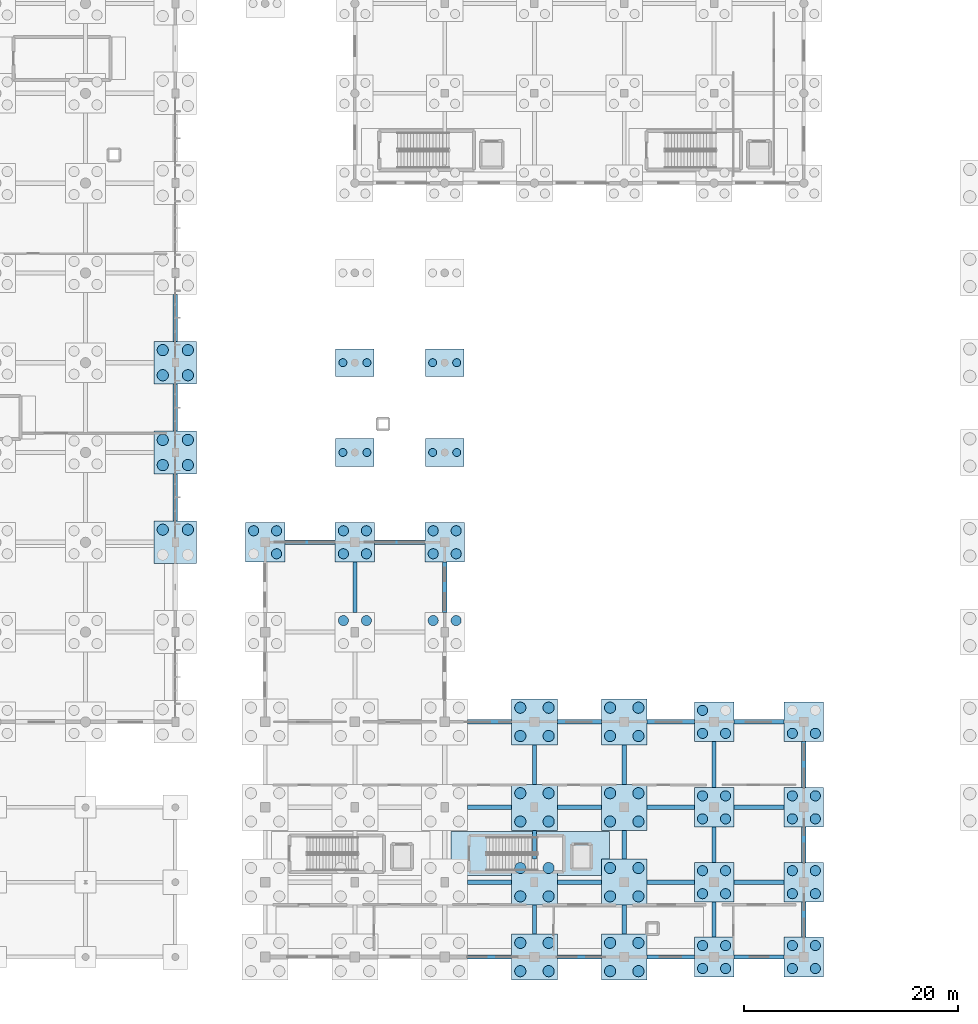
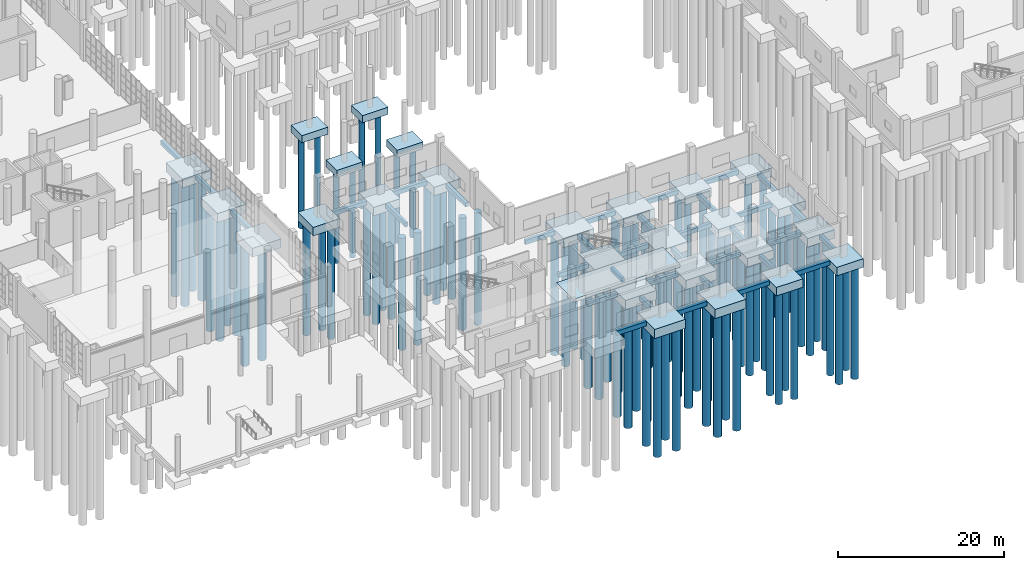
# One storey, part 3 of 83: 94 piles, 62 footings.
"""IFC4 building model written with IfcOpenShell, lengths in metres."""

from ifc_helpers import new_model, si_unit, direction, frame, origin, origin_2d, place, context, subcontext, project, spatial, rectangle, circle, extrude, material, material_profile, profile_set, type_object, element, save


model = new_model("IFC4")

# Units and contexts
model_context = context("Model", 3, precision=1e-05, world=origin(), true_north=direction((0.0, 1.0)))
body_context = subcontext(model_context, "Body", "Model", "MODEL_VIEW")
ifc_project = project(units=[si_unit("LENGTHUNIT", "METRE"), si_unit("AREAUNIT", "SQUARE_METRE"), si_unit("VOLUMEUNIT", "CUBIC_METRE"), si_unit("PLANEANGLEUNIT", "RADIAN"), si_unit("MASSUNIT", "GRAM", prefix="KILO"), si_unit("THERMODYNAMICTEMPERATUREUNIT", "KELVIN"), si_unit("POWERUNIT", "WATT")], contexts=[model_context])

# Site, building, storey
site_placement = place(None, origin())
site = spatial("IfcSite", under=ifc_project, at=site_placement, CompositionType="ELEMENT")
building_placement = place(site_placement, origin())
building = spatial("IfcBuilding", under=site, at=building_placement, Name="Mavoryth Pier Ferry Terminal", CompositionType="ELEMENT")
storey_placement = place(building_placement, origin())
storey = spatial("IfcBuildingStorey", under=building, at=storey_placement, Name="L00", CompositionType="ELEMENT", Elevation=0.0)

# Footings
ifc_material = material(Name="Concrete C35/45", Category="concrete")
footing_type_1 = type_object("IfcFootingType", Name="Cap-4P-3700x3700x1250", PredefinedType="PILE_CAP", material=ifc_material)
for number, where, z_axis, x_axis, name in (
    (1, (84.0, 0.0, -1.7099609375), (0.0, 0.0, 1.0), (1.0, 0.0, 0.0), "Foundation FD-V5-21"),
    (2, (84.0, 7.0, -1.7099609375), (0.0, 0.0, 1.0), (1.0, 0.0, 0.0), "Foundation FD-V5-22"),
    (3, (84.0, 14.0, -1.7099609375), (0.0, 0.0, 1.0), (1.0, 0.0, 0.0), "Foundation FD-V5-23"),
    (4, (84.0, 22.0, -1.7099609375), (0.0, 0.0, 1.0), (1.0, 0.0, 0.0), "Foundation FD-V5-24"),
    (5, (92.39990234375, 0.0, -1.7099609375), (0.0, 0.0, 1.0), (1.0, 0.0, 0.0), "Foundation FD-V5-25"),
    (6, (92.39990234375, 7.0, -1.7099609375), (0.0, 0.0, 1.0), (1.0, 0.0, 0.0), "Foundation FD-V5-26"),
    (7, (92.39990234375, 14.0, -1.7099609375), (0.0, 0.0, 1.0), (1.0, 0.0, 0.0), "Foundation FD-V5-27"),
    (8, (92.39990234375, 22.0, -1.7099609375), (0.0, 0.0, 1.0), (1.0, 0.0, 0.0), "Foundation FD-V5-28"),
    (9, (42.0, 38.800048828125, -1.7099609375), (0.0, 0.0, 1.0), (1.0, 0.0, 0.0), "Foundation FD-V5-30"),
    (10, (50.39990234375, 38.800048828125, -1.7099609375), (0.0, 0.0, 1.0), (1.0, 0.0, 0.0), "Foundation FD-V5-32"),
    (11, (58.800048828125, 38.800048828125, -1.7099609375), (0.0, 0.0, 1.0), (1.0, 0.0, 0.0), "Foundation FD-V5-34"),
):
    element("IfcFooting", number, at=place(storey_placement, frame(where, z_axis=z_axis, x_axis=x_axis)), inside=storey, type_object=footing_type_1, Name=name, PredefinedType="PILE_CAP", context=body_context, shape_type="SweptSolid", body=[
        extrude(rectangle(XDim=3.699951171875, YDim=3.699951171875, at=origin_2d()), origin(), (0.0, 0.0, 1.0), 1.25),
    ])
footing_type_2 = type_object("IfcFootingType", Name="Cap-4P-4000x4000x1300", PredefinedType="PILE_CAP", material=ifc_material)
for number, where, z_axis, x_axis, name in (
    (12, (33.60009765625, 38.800048828125, -1.76025390625), (0.0, 0.0, 1.0), (1.0, 0.0, 0.0), "Foundation FD-V1-5-3"),
    (13, (33.60009765625, 47.199951171875, -1.76025390625), (0.0, 0.0, 1.0), (1.0, 0.0, 0.0), "Foundation FD-V1-5-4"),
    (14, (33.60009765625, 55.60009765625, -1.76025390625), (0.0, 0.0, 1.0), (1.0, 0.0, 0.0), "Foundation FD-V1-5-5"),
):
    element("IfcFooting", number, at=place(storey_placement, frame(where, z_axis=z_axis, x_axis=x_axis)), inside=storey, type_object=footing_type_2, Name=name, PredefinedType="PILE_CAP", context=body_context, shape_type="SweptSolid", body=[
        extrude(rectangle(XDim=4.0, YDim=4.0, at=origin_2d()), origin(), (0.0, 0.0, 1.0), 1.300048828125),
    ])
footing_type_3 = type_object("IfcFootingType", Name="Cap-4P-4300x4300x1350", PredefinedType="PILE_CAP", material=ifc_material)
for number, where, z_axis, x_axis, name in (
    (15, (67.199951171875, 0.0, -1.81005859375), (0.0, 0.0, 1.0), (1.0, 0.0, 0.0), "Foundation FD-V5-13"),
    (16, (67.199951171875, 7.0, -1.81005859375), (0.0, 0.0, 1.0), (1.0, 0.0, 0.0), "Foundation FD-V5-14"),
    (17, (67.199951171875, 14.0, -1.81005859375), (0.0, 0.0, 1.0), (1.0, 0.0, 0.0), "Foundation FD-V5-15"),
    (18, (67.199951171875, 22.0, -1.81005859375), (0.0, 0.0, 1.0), (1.0, 0.0, 0.0), "Foundation FD-V5-16"),
    (19, (75.60009765625, 0.0, -1.81005859375), (0.0, 0.0, 1.0), (1.0, 0.0, 0.0), "Foundation FD-V5-17"),
    (20, (75.60009765625, 7.0, -1.81005859375), (0.0, 0.0, 1.0), (1.0, 0.0, 0.0), "Foundation FD-V5-18"),
    (21, (75.60009765625, 14.0, -1.81005859375), (0.0, 0.0, 1.0), (1.0, 0.0, 0.0), "Foundation FD-V5-19"),
    (22, (75.60009765625, 22.0, -1.81005859375), (0.0, 0.0, 1.0), (1.0, 0.0, 0.0), "Foundation FD-V5-20"),
):
    element("IfcFooting", number, at=place(storey_placement, frame(where, z_axis=z_axis, x_axis=x_axis)), inside=storey, type_object=footing_type_3, Name=name, PredefinedType="PILE_CAP", context=body_context, shape_type="SweptSolid", body=[
        extrude(rectangle(XDim=4.300048828125, YDim=4.300048828125, at=origin_2d()), origin(), (0.0, 0.0, 1.0), 1.35009765625),
    ])
footing_type_4 = type_object("IfcFootingType", Name="Pad-Bridge-3600x2600x1050", PredefinedType="PAD_FOOTING", material=ifc_material)
for number, where, z_axis, x_axis, name in (
    (23, (50.39990234375, 47.199951171875, -1.51025390625), (0.0, 0.0, 1.0), (1.0, 0.0, 0.0), "Foundation FD-BR-03"),
    (24, (50.39990234375, 55.60009765625, -1.51025390625), (0.0, 0.0, 1.0), (1.0, 0.0, 0.0), "Foundation FD-BR-04"),
    (25, (58.800048828125, 47.199951171875, -1.51025390625), (0.0, 0.0, 1.0), (1.0, 0.0, 0.0), "Foundation FD-BR-06"),
    (26, (58.800048828125, 55.60009765625, -1.51025390625), (0.0, 0.0, 1.0), (1.0, 0.0, 0.0), "Foundation FD-BR-07"),
):
    element("IfcFooting", number, at=place(storey_placement, frame(where, z_axis=z_axis, x_axis=x_axis)), inside=storey, type_object=footing_type_4, Name=name, PredefinedType="PAD_FOOTING", context=body_context, shape_type="SweptSolid", body=[
        extrude(rectangle(XDim=3.60009765625, YDim=2.60009765625, at=origin_2d()), origin(), (0.0, 0.0, 1.0), 1.050048828125),
    ])
footing_type_5 = type_object("IfcFootingType", Name="Pad-CoreMat-14840x4100x460", PredefinedType="PAD_FOOTING", material=ifc_material)
footing_1_placement = place(storey_placement, frame((66.800048828125, 9.675048828125, -0.4599609375), z_axis=(0.0, 0.0, 1.0), x_axis=(1.0, 0.0, 0.0)))
element("IfcFooting", 27, at=footing_1_placement, inside=storey, type_object=footing_type_5, Name="Core Foundation Mat C5B", PredefinedType="PAD_FOOTING", context=body_context, shape_type="SweptSolid", body=[
    extrude(rectangle(XDim=14.840087890625, YDim=4.10009765625, at=origin_2d()), origin(), (0.0, 0.0, 1.0), 0.4599609375),
])

# Piles
ifc_material_profile_1 = material_profile(ifc_material, circle(Radius=0.52490234375, at=origin_2d()), Name="PILE D1050", Category="concrete")
ifc_profile_set_1 = profile_set([ifc_material_profile_1], Name="Concrete C35/45 - PILE D1050")
pile_type_1 = type_object("IfcPileType", Name="Pile-Bored-D1050", PredefinedType="BORED", material=ifc_profile_set_1)
for number, where, z_axis, x_axis, name in (
    (28, (32.425048828125, 39.97509765625, -1.659912109375), (0.0, 0.0, -1.0), (1.0, 0.0, 0.0), "Bored Pile FD-V1-5-3-P3"),
    (29, (34.77490234375, 39.97509765625, -1.659912109375), (0.0, 0.0, -1.0), (1.0, 0.0, 0.0), "Bored Pile FD-V1-5-3-P4"),
    (30, (32.425048828125, 46.02490234375, -1.659912109375), (0.0, 0.0, -1.0), (1.0, 0.0, 0.0), "Bored Pile FD-V1-5-4-P1"),
    (31, (34.77490234375, 46.02490234375, -1.659912109375), (0.0, 0.0, -1.0), (1.0, 0.0, 0.0), "Bored Pile FD-V1-5-4-P2"),
    (32, (32.425048828125, 48.375, -1.659912109375), (0.0, 0.0, -1.0), (1.0, 0.0, 0.0), "Bored Pile FD-V1-5-4-P3"),
    (33, (34.77490234375, 48.375, -1.659912109375), (0.0, 0.0, -1.0), (1.0, 0.0, 0.0), "Bored Pile FD-V1-5-4-P4"),
    (34, (32.425048828125, 54.425048828125, -1.659912109375), (0.0, 0.0, -1.0), (1.0, 0.0, 0.0), "Bored Pile FD-V1-5-5-P1"),
    (35, (34.77490234375, 54.425048828125, -1.659912109375), (0.0, 0.0, -1.0), (1.0, 0.0, 0.0), "Bored Pile FD-V1-5-5-P2"),
    (36, (32.425048828125, 56.77490234375, -1.659912109375), (0.0, 0.0, -1.0), (1.0, 0.0, 0.0), "Bored Pile FD-V1-5-5-P3"),
    (37, (34.77490234375, 56.77490234375, -1.659912109375), (0.0, 0.0, -1.0), (1.0, 0.0, 0.0), "Bored Pile FD-V1-5-5-P4"),
    (38, (65.875, -1.324951171875, -1.7099609375), (0.0, 0.0, -1.0), (1.0, 0.0, 0.0), "Bored Pile FD-V5-13-P1"),
    (39, (68.52490234375, -1.324951171875, -1.7099609375), (0.0, 0.0, -1.0), (1.0, 0.0, 0.0), "Bored Pile FD-V5-13-P2"),
    (40, (65.875, 1.324951171875, -1.7099609375), (0.0, 0.0, -1.0), (1.0, 0.0, 0.0), "Bored Pile FD-V5-13-P3"),
    (41, (68.52490234375, 1.324951171875, -1.7099609375), (0.0, 0.0, -1.0), (1.0, 0.0, 0.0), "Bored Pile FD-V5-13-P4"),
    (42, (65.875, 5.675048828125, -1.7099609375), (0.0, 0.0, -1.0), (1.0, 0.0, 0.0), "Bored Pile FD-V5-14-P1"),
    (43, (68.52490234375, 5.675048828125, -1.7099609375), (0.0, 0.0, -1.0), (1.0, 0.0, 0.0), "Bored Pile FD-V5-14-P2"),
    (44, (65.875, 8.324951171875, -1.7099609375), (0.0, 0.0, -1.0), (1.0, 0.0, 0.0), "Bored Pile FD-V5-14-P3"),
    (45, (68.52490234375, 8.324951171875, -1.7099609375), (0.0, 0.0, -1.0), (1.0, 0.0, 0.0), "Bored Pile FD-V5-14-P4"),
    (46, (65.875, 12.675048828125, -1.7099609375), (0.0, 0.0, -1.0), (1.0, 0.0, 0.0), "Bored Pile FD-V5-15-P1"),
    (47, (68.52490234375, 12.675048828125, -1.7099609375), (0.0, 0.0, -1.0), (1.0, 0.0, 0.0), "Bored Pile FD-V5-15-P2"),
    (48, (65.875, 15.324951171875, -1.7099609375), (0.0, 0.0, -1.0), (1.0, 0.0, 0.0), "Bored Pile FD-V5-15-P3"),
    (49, (68.52490234375, 15.324951171875, -1.7099609375), (0.0, 0.0, -1.0), (1.0, 0.0, 0.0), "Bored Pile FD-V5-15-P4"),
    (50, (65.875, 20.675048828125, -1.7099609375), (0.0, 0.0, -1.0), (1.0, 0.0, 0.0), "Bored Pile FD-V5-16-P1"),
    (51, (68.52490234375, 20.675048828125, -1.7099609375), (0.0, 0.0, -1.0), (1.0, 0.0, 0.0), "Bored Pile FD-V5-16-P2"),
    (52, (65.875, 23.324951171875, -1.7099609375), (0.0, 0.0, -1.0), (1.0, 0.0, 0.0), "Bored Pile FD-V5-16-P3"),
    (53, (68.52490234375, 23.324951171875, -1.7099609375), (0.0, 0.0, -1.0), (1.0, 0.0, 0.0), "Bored Pile FD-V5-16-P4"),
    (54, (74.27490234375, -1.324951171875, -1.7099609375), (0.0, 0.0, -1.0), (1.0, 0.0, 0.0), "Bored Pile FD-V5-17-P1"),
    (55, (76.925048828125, -1.324951171875, -1.7099609375), (0.0, 0.0, -1.0), (1.0, 0.0, 0.0), "Bored Pile FD-V5-17-P2"),
    (56, (74.27490234375, 1.324951171875, -1.7099609375), (0.0, 0.0, -1.0), (1.0, 0.0, 0.0), "Bored Pile FD-V5-17-P3"),
    (57, (76.925048828125, 1.324951171875, -1.7099609375), (0.0, 0.0, -1.0), (1.0, 0.0, 0.0), "Bored Pile FD-V5-17-P4"),
    (58, (74.27490234375, 5.675048828125, -1.7099609375), (0.0, 0.0, -1.0), (1.0, 0.0, 0.0), "Bored Pile FD-V5-18-P1"),
    (59, (76.925048828125, 5.675048828125, -1.7099609375), (0.0, 0.0, -1.0), (1.0, 0.0, 0.0), "Bored Pile FD-V5-18-P2"),
    (60, (74.27490234375, 8.324951171875, -1.7099609375), (0.0, 0.0, -1.0), (1.0, 0.0, 0.0), "Bored Pile FD-V5-18-P3"),
    (61, (76.925048828125, 8.324951171875, -1.7099609375), (0.0, 0.0, -1.0), (1.0, 0.0, 0.0), "Bored Pile FD-V5-18-P4"),
    (62, (74.27490234375, 12.675048828125, -1.7099609375), (0.0, 0.0, -1.0), (1.0, 0.0, 0.0), "Bored Pile FD-V5-19-P1"),
    (63, (76.925048828125, 12.675048828125, -1.7099609375), (0.0, 0.0, -1.0), (1.0, 0.0, 0.0), "Bored Pile FD-V5-19-P2"),
    (64, (74.27490234375, 15.324951171875, -1.7099609375), (0.0, 0.0, -1.0), (1.0, 0.0, 0.0), "Bored Pile FD-V5-19-P3"),
    (65, (76.925048828125, 15.324951171875, -1.7099609375), (0.0, 0.0, -1.0), (1.0, 0.0, 0.0), "Bored Pile FD-V5-19-P4"),
    (66, (74.27490234375, 20.675048828125, -1.7099609375), (0.0, 0.0, -1.0), (1.0, 0.0, 0.0), "Bored Pile FD-V5-20-P1"),
    (67, (76.925048828125, 20.675048828125, -1.7099609375), (0.0, 0.0, -1.0), (1.0, 0.0, 0.0), "Bored Pile FD-V5-20-P2"),
    (68, (74.27490234375, 23.324951171875, -1.7099609375), (0.0, 0.0, -1.0), (1.0, 0.0, 0.0), "Bored Pile FD-V5-20-P3"),
    (69, (76.925048828125, 23.324951171875, -1.7099609375), (0.0, 0.0, -1.0), (1.0, 0.0, 0.0), "Bored Pile FD-V5-20-P4"),
):
    element("IfcPile", number, at=place(storey_placement, frame(where, z_axis=z_axis, x_axis=x_axis)), inside=storey, type_object=pile_type_1, Name=name, PredefinedType="BORED", context=body_context, shape_type="SweptSolid", body=[
        extrude(circle(Radius=0.52490234375, at=origin_2d()), origin(), (0.0, 0.0, 1.0), 18.0),
    ])
ifc_material_profile_2 = material_profile(ifc_material, circle(Radius=0.375, at=origin_2d()), Name="PILE D750", Category="concrete")
ifc_profile_set_2 = profile_set([ifc_material_profile_2], Name="Concrete C35/45 - PILE D750")
pile_type_2 = type_object("IfcPileType", Name="Pile-Bored-D750", PredefinedType="BORED", material=ifc_profile_set_2)
for number, where, z_axis, x_axis, name in (
    (70, (49.27490234375, 47.199951171875, -1.409912109375), (0.0, 0.0, -1.0), (1.0, 0.0, 0.0), "Bored Pile FD-BR-03-P1"),
    (71, (51.52490234375, 47.199951171875, -1.409912109375), (0.0, 0.0, -1.0), (1.0, 0.0, 0.0), "Bored Pile FD-BR-03-P2"),
    (72, (49.27490234375, 55.60009765625, -1.409912109375), (0.0, 0.0, -1.0), (1.0, 0.0, 0.0), "Bored Pile FD-BR-04-P1"),
    (73, (51.52490234375, 55.60009765625, -1.409912109375), (0.0, 0.0, -1.0), (1.0, 0.0, 0.0), "Bored Pile FD-BR-04-P2"),
    (74, (57.675048828125, 47.199951171875, -1.409912109375), (0.0, 0.0, -1.0), (1.0, 0.0, 0.0), "Bored Pile FD-BR-06-P1"),
    (75, (59.925048828125, 47.199951171875, -1.409912109375), (0.0, 0.0, -1.0), (1.0, 0.0, 0.0), "Bored Pile FD-BR-06-P2"),
    (76, (57.675048828125, 55.60009765625, -1.409912109375), (0.0, 0.0, -1.0), (1.0, 0.0, 0.0), "Bored Pile FD-BR-07-P1"),
    (77, (59.925048828125, 55.60009765625, -1.409912109375), (0.0, 0.0, -1.0), (1.0, 0.0, 0.0), "Bored Pile FD-BR-07-P2"),
):
    element("IfcPile", number, at=place(storey_placement, frame(where, z_axis=z_axis, x_axis=x_axis)), inside=storey, type_object=pile_type_2, Name=name, PredefinedType="BORED", context=body_context, shape_type="SweptSolid", body=[
        extrude(circle(Radius=0.375, at=origin_2d()), origin(), (0.0, 0.0, 1.0), 13.5),
    ])
ifc_material_profile_3 = material_profile(ifc_material, circle(Radius=0.47509765625, at=origin_2d()), Name="PILE D950", Category="concrete")
ifc_profile_set_3 = profile_set([ifc_material_profile_3], Name="Concrete C35/45 - PILE D950")
pile_type_3 = type_object("IfcPileType", Name="Pile-Bored-D950", PredefinedType="BORED", material=ifc_profile_set_3)
for number, where, z_axis, x_axis, name in (
    (78, (82.925048828125, -1.074951171875, -1.610107421875), (0.0, 0.0, -1.0), (1.0, 0.0, 0.0), "Bored Pile FD-V5-21-P1"),
    (79, (85.074951171875, -1.074951171875, -1.610107421875), (0.0, 0.0, -1.0), (1.0, 0.0, 0.0), "Bored Pile FD-V5-21-P2"),
    (80, (82.925048828125, 1.074951171875, -1.610107421875), (0.0, 0.0, -1.0), (1.0, 0.0, 0.0), "Bored Pile FD-V5-21-P3"),
    (81, (85.074951171875, 1.074951171875, -1.610107421875), (0.0, 0.0, -1.0), (1.0, 0.0, 0.0), "Bored Pile FD-V5-21-P4"),
    (82, (82.925048828125, 5.925048828125, -1.610107421875), (0.0, 0.0, -1.0), (1.0, 0.0, 0.0), "Bored Pile FD-V5-22-P1"),
    (83, (85.074951171875, 5.925048828125, -1.610107421875), (0.0, 0.0, -1.0), (1.0, 0.0, 0.0), "Bored Pile FD-V5-22-P2"),
    (84, (82.925048828125, 8.074951171875, -1.610107421875), (0.0, 0.0, -1.0), (1.0, 0.0, 0.0), "Bored Pile FD-V5-22-P3"),
    (85, (85.074951171875, 8.074951171875, -1.610107421875), (0.0, 0.0, -1.0), (1.0, 0.0, 0.0), "Bored Pile FD-V5-22-P4"),
    (86, (82.925048828125, 12.925048828125, -1.610107421875), (0.0, 0.0, -1.0), (1.0, 0.0, 0.0), "Bored Pile FD-V5-23-P1"),
    (87, (85.074951171875, 12.925048828125, -1.610107421875), (0.0, 0.0, -1.0), (1.0, 0.0, 0.0), "Bored Pile FD-V5-23-P2"),
    (88, (82.925048828125, 15.074951171875, -1.610107421875), (0.0, 0.0, -1.0), (1.0, 0.0, 0.0), "Bored Pile FD-V5-23-P3"),
    (89, (85.074951171875, 15.074951171875, -1.610107421875), (0.0, 0.0, -1.0), (1.0, 0.0, 0.0), "Bored Pile FD-V5-23-P4"),
    (90, (82.925048828125, 20.925048828125, -1.610107421875), (0.0, 0.0, -1.0), (1.0, 0.0, 0.0), "Bored Pile FD-V5-24-P1"),
    (91, (85.074951171875, 20.925048828125, -1.610107421875), (0.0, 0.0, -1.0), (1.0, 0.0, 0.0), "Bored Pile FD-V5-24-P2"),
    (92, (82.925048828125, 23.074951171875, -1.610107421875), (0.0, 0.0, -1.0), (1.0, 0.0, 0.0), "Bored Pile FD-V5-24-P3"),
    (93, (91.324951171875, -1.074951171875, -1.610107421875), (0.0, 0.0, -1.0), (1.0, 0.0, 0.0), "Bored Pile FD-V5-25-P1"),
    (94, (93.47509765625, -1.074951171875, -1.610107421875), (0.0, 0.0, -1.0), (1.0, 0.0, 0.0), "Bored Pile FD-V5-25-P2"),
    (95, (91.324951171875, 1.074951171875, -1.610107421875), (0.0, 0.0, -1.0), (1.0, 0.0, 0.0), "Bored Pile FD-V5-25-P3"),
    (96, (93.47509765625, 1.074951171875, -1.610107421875), (0.0, 0.0, -1.0), (1.0, 0.0, 0.0), "Bored Pile FD-V5-25-P4"),
    (97, (91.324951171875, 5.925048828125, -1.610107421875), (0.0, 0.0, -1.0), (1.0, 0.0, 0.0), "Bored Pile FD-V5-26-P1"),
    (98, (93.47509765625, 5.925048828125, -1.610107421875), (0.0, 0.0, -1.0), (1.0, 0.0, 0.0), "Bored Pile FD-V5-26-P2"),
    (99, (91.324951171875, 8.074951171875, -1.610107421875), (0.0, 0.0, -1.0), (1.0, 0.0, 0.0), "Bored Pile FD-V5-26-P3"),
    (100, (93.47509765625, 8.074951171875, -1.610107421875), (0.0, 0.0, -1.0), (1.0, 0.0, 0.0), "Bored Pile FD-V5-26-P4"),
    (101, (91.324951171875, 12.925048828125, -1.610107421875), (0.0, 0.0, -1.0), (1.0, 0.0, 0.0), "Bored Pile FD-V5-27-P1"),
    (102, (93.47509765625, 12.925048828125, -1.610107421875), (0.0, 0.0, -1.0), (1.0, 0.0, 0.0), "Bored Pile FD-V5-27-P2"),
    (103, (91.324951171875, 15.074951171875, -1.610107421875), (0.0, 0.0, -1.0), (1.0, 0.0, 0.0), "Bored Pile FD-V5-27-P3"),
    (104, (93.47509765625, 15.074951171875, -1.610107421875), (0.0, 0.0, -1.0), (1.0, 0.0, 0.0), "Bored Pile FD-V5-27-P4"),
    (105, (91.324951171875, 20.925048828125, -1.610107421875), (0.0, 0.0, -1.0), (1.0, 0.0, 0.0), "Bored Pile FD-V5-28-P1"),
    (106, (93.47509765625, 20.925048828125, -1.610107421875), (0.0, 0.0, -1.0), (1.0, 0.0, 0.0), "Bored Pile FD-V5-28-P2"),
    (107, (43.074951171875, 37.72509765625, -1.610107421875), (0.0, 0.0, -1.0), (1.0, 0.0, 0.0), "Bored Pile FD-V5-30-P2"),
    (108, (40.925048828125, 39.875, -1.610107421875), (0.0, 0.0, -1.0), (1.0, 0.0, 0.0), "Bored Pile FD-V5-30-P3"),
    (109, (43.074951171875, 39.875, -1.610107421875), (0.0, 0.0, -1.0), (1.0, 0.0, 0.0), "Bored Pile FD-V5-30-P4"),
    (110, (49.324951171875, 31.47509765625, -1.610107421875), (0.0, 0.0, -1.0), (1.0, 0.0, 0.0), "Bored Pile FD-V5-31-P3"),
    (111, (51.47509765625, 31.47509765625, -1.610107421875), (0.0, 0.0, -1.0), (1.0, 0.0, 0.0), "Bored Pile FD-V5-31-P4"),
    (112, (49.324951171875, 37.72509765625, -1.610107421875), (0.0, 0.0, -1.0), (1.0, 0.0, 0.0), "Bored Pile FD-V5-32-P1"),
    (113, (51.47509765625, 37.72509765625, -1.610107421875), (0.0, 0.0, -1.0), (1.0, 0.0, 0.0), "Bored Pile FD-V5-32-P2"),
    (114, (49.324951171875, 39.875, -1.610107421875), (0.0, 0.0, -1.0), (1.0, 0.0, 0.0), "Bored Pile FD-V5-32-P3"),
    (115, (51.47509765625, 39.875, -1.610107421875), (0.0, 0.0, -1.0), (1.0, 0.0, 0.0), "Bored Pile FD-V5-32-P4"),
    (116, (57.72509765625, 31.47509765625, -1.610107421875), (0.0, 0.0, -1.0), (1.0, 0.0, 0.0), "Bored Pile FD-V5-33-P3"),
    (117, (59.875, 31.47509765625, -1.610107421875), (0.0, 0.0, -1.0), (1.0, 0.0, 0.0), "Bored Pile FD-V5-33-P4"),
    (118, (57.72509765625, 37.72509765625, -1.610107421875), (0.0, 0.0, -1.0), (1.0, 0.0, 0.0), "Bored Pile FD-V5-34-P1"),
    (119, (59.875, 37.72509765625, -1.610107421875), (0.0, 0.0, -1.0), (1.0, 0.0, 0.0), "Bored Pile FD-V5-34-P2"),
    (120, (57.72509765625, 39.875, -1.610107421875), (0.0, 0.0, -1.0), (1.0, 0.0, 0.0), "Bored Pile FD-V5-34-P3"),
    (121, (59.875, 39.875, -1.610107421875), (0.0, 0.0, -1.0), (1.0, 0.0, 0.0), "Bored Pile FD-V5-34-P4"),
):
    element("IfcPile", number, at=place(storey_placement, frame(where, z_axis=z_axis, x_axis=x_axis)), inside=storey, type_object=pile_type_3, Name=name, PredefinedType="BORED", context=body_context, shape_type="SweptSolid", body=[
        extrude(circle(Radius=0.47509765625, at=origin_2d()), origin(), (0.0, 0.0, 1.0), 16.5),
    ])

# Footings
ifc_material_profile_4 = material_profile(ifc_material, rectangle(XDim=0.39990234375, YDim=0.64990234375, at=origin_2d()), Name="RC 400x650", Category="concrete")
ifc_profile_set_4 = profile_set([ifc_material_profile_4], Name="Concrete C35/45 - RC 400x650")
footing_type_6 = type_object("IfcFootingType", Name="TieBeam-RC-400x650", PredefinedType="FOOTING_BEAM", material=ifc_profile_set_4)
footing_2_placement = place(storey_placement, frame((33.60009765625, 40.800048828125, -0.784912109375), z_axis=(0.0, 1.0, 0.0), x_axis=(-1.0, 0.0, 0.0)))
element("IfcFooting", 122, at=footing_2_placement, inside=storey, type_object=footing_type_6, Name="Footing Tie Beam 117", PredefinedType="FOOTING_BEAM", context=body_context, shape_type="SweptSolid", body=[
    extrude(rectangle(XDim=0.39990234375, YDim=0.64990234375, at=origin_2d()), origin(), (0.0, 0.0, 1.0), 4.39990234375),
])
footing_3_placement = place(storey_placement, frame((33.60009765625, 49.199951171875, -0.784912109375), z_axis=(0.0, 1.0, 0.0), x_axis=(-1.0, 0.0, 0.0)))
element("IfcFooting", 123, at=footing_3_placement, inside=storey, type_object=footing_type_6, Name="Footing Tie Beam 118", PredefinedType="FOOTING_BEAM", context=body_context, shape_type="SweptSolid", body=[
    extrude(rectangle(XDim=0.39990234375, YDim=0.64990234375, at=origin_2d()), origin(), (0.0, 0.0, 1.0), 4.400146484375),
])
footing_4_placement = place(storey_placement, frame((33.60009765625, 57.60009765625, -0.784912109375), z_axis=(0.0, 1.0, 0.0), x_axis=(-1.0, 0.0, 0.0)))
element("IfcFooting", 124, at=footing_4_placement, inside=storey, type_object=footing_type_6, Name="Footing Tie Beam 119", PredefinedType="FOOTING_BEAM", context=body_context, shape_type="SweptSolid", body=[
    extrude(rectangle(XDim=0.39990234375, YDim=0.64990234375, at=origin_2d()), origin(), (0.0, 0.0, 1.0), 4.39990234375),
])
footing_5_placement = place(storey_placement, frame((60.949951171875, 0.0, -0.784912109375), z_axis=(1.0, 0.0, 0.0), x_axis=(0.0, 1.0, 0.0)))
element("IfcFooting", 125, at=footing_5_placement, inside=storey, type_object=footing_type_6, Name="Footing Tie Beam 321", PredefinedType="FOOTING_BEAM", context=body_context, shape_type="SweptSolid", body=[
    extrude(rectangle(XDim=0.39990234375, YDim=0.64990234375, at=origin_2d()), origin(), (0.0, 0.0, 1.0), 4.10009765625),
])
footing_6_placement = place(storey_placement, frame((69.35009765625, 0.0, -0.784912109375), z_axis=(1.0, 0.0, 0.0), x_axis=(0.0, 1.0, 0.0)))
element("IfcFooting", 126, at=footing_6_placement, inside=storey, type_object=footing_type_6, Name="Footing Tie Beam 322", PredefinedType="FOOTING_BEAM", context=body_context, shape_type="SweptSolid", body=[
    extrude(rectangle(XDim=0.39990234375, YDim=0.64990234375, at=origin_2d()), origin(), (0.0, 0.0, 1.0), 4.099853515625),
])
footing_7_placement = place(storey_placement, frame((77.75, 0.0, -0.784912109375), z_axis=(1.0, 0.0, 0.0), x_axis=(0.0, 1.0, 0.0)))
element("IfcFooting", 127, at=footing_7_placement, inside=storey, type_object=footing_type_6, Name="Footing Tie Beam 323", PredefinedType="FOOTING_BEAM", context=body_context, shape_type="SweptSolid", body=[
    extrude(rectangle(XDim=0.39990234375, YDim=0.64990234375, at=origin_2d()), origin(), (0.0, 0.0, 1.0), 4.39990234375),
])
footing_8_placement = place(storey_placement, frame((85.85009765625, 0.0, -0.784912109375), z_axis=(1.0, 0.0, 0.0), x_axis=(0.0, 1.0, 0.0)))
element("IfcFooting", 128, at=footing_8_placement, inside=storey, type_object=footing_type_6, Name="Footing Tie Beam 324", PredefinedType="FOOTING_BEAM", context=body_context, shape_type="SweptSolid", body=[
    extrude(rectangle(XDim=0.39990234375, YDim=0.64990234375, at=origin_2d()), origin(), (0.0, 0.0, 1.0), 4.699951171875),
])
footing_9_placement = place(storey_placement, frame((60.949951171875, 7.0, -0.784912109375), z_axis=(1.0, 0.0, 0.0), x_axis=(0.0, 1.0, 0.0)))
element("IfcFooting", 129, at=footing_9_placement, inside=storey, type_object=footing_type_6, Name="Footing Tie Beam 327", PredefinedType="FOOTING_BEAM", context=body_context, shape_type="SweptSolid", body=[
    extrude(rectangle(XDim=0.39990234375, YDim=0.64990234375, at=origin_2d()), origin(), (0.0, 0.0, 1.0), 4.10009765625),
])
footing_10_placement = place(storey_placement, frame((69.35009765625, 7.0, -0.784912109375), z_axis=(1.0, 0.0, 0.0), x_axis=(0.0, 1.0, 0.0)))
element("IfcFooting", 130, at=footing_10_placement, inside=storey, type_object=footing_type_6, Name="Footing Tie Beam 328", PredefinedType="FOOTING_BEAM", context=body_context, shape_type="SweptSolid", body=[
    extrude(rectangle(XDim=0.39990234375, YDim=0.64990234375, at=origin_2d()), origin(), (0.0, 0.0, 1.0), 4.099853515625),
])
footing_11_placement = place(storey_placement, frame((77.75, 7.0, -0.784912109375), z_axis=(1.0, 0.0, 0.0), x_axis=(0.0, 1.0, 0.0)))
element("IfcFooting", 131, at=footing_11_placement, inside=storey, type_object=footing_type_6, Name="Footing Tie Beam 329", PredefinedType="FOOTING_BEAM", context=body_context, shape_type="SweptSolid", body=[
    extrude(rectangle(XDim=0.39990234375, YDim=0.64990234375, at=origin_2d()), origin(), (0.0, 0.0, 1.0), 4.39990234375),
])
footing_12_placement = place(storey_placement, frame((85.85009765625, 7.0, -0.784912109375), z_axis=(1.0, 0.0, 0.0), x_axis=(0.0, 1.0, 0.0)))
element("IfcFooting", 132, at=footing_12_placement, inside=storey, type_object=footing_type_6, Name="Footing Tie Beam 330", PredefinedType="FOOTING_BEAM", context=body_context, shape_type="SweptSolid", body=[
    extrude(rectangle(XDim=0.39990234375, YDim=0.64990234375, at=origin_2d()), origin(), (0.0, 0.0, 1.0), 4.699951171875),
])
footing_13_placement = place(storey_placement, frame((60.949951171875, 14.0, -0.784912109375), z_axis=(1.0, 0.0, 0.0), x_axis=(0.0, 1.0, 0.0)))
element("IfcFooting", 133, at=footing_13_placement, inside=storey, type_object=footing_type_6, Name="Footing Tie Beam 333", PredefinedType="FOOTING_BEAM", context=body_context, shape_type="SweptSolid", body=[
    extrude(rectangle(XDim=0.39990234375, YDim=0.64990234375, at=origin_2d()), origin(), (0.0, 0.0, 1.0), 4.10009765625),
])
footing_14_placement = place(storey_placement, frame((69.35009765625, 14.0, -0.784912109375), z_axis=(1.0, 0.0, 0.0), x_axis=(0.0, 1.0, 0.0)))
element("IfcFooting", 134, at=footing_14_placement, inside=storey, type_object=footing_type_6, Name="Footing Tie Beam 334", PredefinedType="FOOTING_BEAM", context=body_context, shape_type="SweptSolid", body=[
    extrude(rectangle(XDim=0.39990234375, YDim=0.64990234375, at=origin_2d()), origin(), (0.0, 0.0, 1.0), 4.099853515625),
])
footing_15_placement = place(storey_placement, frame((77.75, 14.0, -0.784912109375), z_axis=(1.0, 0.0, 0.0), x_axis=(0.0, 1.0, 0.0)))
element("IfcFooting", 135, at=footing_15_placement, inside=storey, type_object=footing_type_6, Name="Footing Tie Beam 335", PredefinedType="FOOTING_BEAM", context=body_context, shape_type="SweptSolid", body=[
    extrude(rectangle(XDim=0.39990234375, YDim=0.64990234375, at=origin_2d()), origin(), (0.0, 0.0, 1.0), 4.39990234375),
])
footing_16_placement = place(storey_placement, frame((85.85009765625, 14.0, -0.784912109375), z_axis=(1.0, 0.0, 0.0), x_axis=(0.0, 1.0, 0.0)))
element("IfcFooting", 136, at=footing_16_placement, inside=storey, type_object=footing_type_6, Name="Footing Tie Beam 336", PredefinedType="FOOTING_BEAM", context=body_context, shape_type="SweptSolid", body=[
    extrude(rectangle(XDim=0.39990234375, YDim=0.64990234375, at=origin_2d()), origin(), (0.0, 0.0, 1.0), 4.699951171875),
])
footing_17_placement = place(storey_placement, frame((60.949951171875, 22.0, -0.784912109375), z_axis=(1.0, 0.0, 0.0), x_axis=(0.0, 1.0, 0.0)))
element("IfcFooting", 137, at=footing_17_placement, inside=storey, type_object=footing_type_6, Name="Footing Tie Beam 339", PredefinedType="FOOTING_BEAM", context=body_context, shape_type="SweptSolid", body=[
    extrude(rectangle(XDim=0.39990234375, YDim=0.64990234375, at=origin_2d()), origin(), (0.0, 0.0, 1.0), 4.10009765625),
])
footing_18_placement = place(storey_placement, frame((69.35009765625, 22.0, -0.784912109375), z_axis=(1.0, 0.0, 0.0), x_axis=(0.0, 1.0, 0.0)))
element("IfcFooting", 138, at=footing_18_placement, inside=storey, type_object=footing_type_6, Name="Footing Tie Beam 340", PredefinedType="FOOTING_BEAM", context=body_context, shape_type="SweptSolid", body=[
    extrude(rectangle(XDim=0.39990234375, YDim=0.64990234375, at=origin_2d()), origin(), (0.0, 0.0, 1.0), 4.099853515625),
])
footing_19_placement = place(storey_placement, frame((77.75, 22.0, -0.784912109375), z_axis=(1.0, 0.0, 0.0), x_axis=(0.0, 1.0, 0.0)))
element("IfcFooting", 139, at=footing_19_placement, inside=storey, type_object=footing_type_6, Name="Footing Tie Beam 341", PredefinedType="FOOTING_BEAM", context=body_context, shape_type="SweptSolid", body=[
    extrude(rectangle(XDim=0.39990234375, YDim=0.64990234375, at=origin_2d()), origin(), (0.0, 0.0, 1.0), 4.39990234375),
])
for number, where, z_axis, x_axis, name in (
    (140, (85.85009765625, 22.0, -0.784912109375), (1.0, 0.0, 0.0), (0.0, 1.0, 0.0), "Footing Tie Beam 342"),
    (141, (43.85009765625, 38.800048828125, -0.784912109375), (1.0, 0.0, 0.0), (0.0, 1.0, 0.0), "Footing Tie Beam 345"),
    (142, (52.25, 38.800048828125, -0.784912109375), (1.0, 0.0, 0.0), (0.0, 1.0, 0.0), "Footing Tie Beam 346"),
    (143, (50.39990234375, 32.25, -0.784912109375), (0.0, 1.0, 0.0), (-1.0, 0.0, 0.0), "Footing Tie Beam 356"),
    (144, (58.800048828125, 32.25, -0.784912109375), (0.0, 1.0, 0.0), (-1.0, 0.0, 0.0), "Footing Tie Beam 361"),
):
    element("IfcFooting", number, at=place(storey_placement, frame(where, z_axis=z_axis, x_axis=x_axis)), inside=storey, type_object=footing_type_6, Name=name, PredefinedType="FOOTING_BEAM", context=body_context, shape_type="SweptSolid", body=[
        extrude(rectangle(XDim=0.39990234375, YDim=0.64990234375, at=origin_2d()), origin(), (0.0, 0.0, 1.0), 4.699951171875),
    ])
for number, where, z_axis, x_axis, name in (
    (145, (67.199951171875, 2.14990234375, -0.784912109375), (0.0, 1.0, 0.0), (-1.0, 0.0, 0.0), "Footing Tie Beam 362"),
    (146, (67.199951171875, 9.14990234375, -0.784912109375), (0.0, 1.0, 0.0), (-1.0, 0.0, 0.0), "Footing Tie Beam 363"),
):
    element("IfcFooting", number, at=place(storey_placement, frame(where, z_axis=z_axis, x_axis=x_axis)), inside=storey, type_object=footing_type_6, Name=name, PredefinedType="FOOTING_BEAM", context=body_context, shape_type="SweptSolid", body=[
        extrude(rectangle(XDim=0.39990234375, YDim=0.64990234375, at=origin_2d()), origin(), (0.0, 0.0, 1.0), 2.7001953125),
    ])
footing_20_placement = place(storey_placement, frame((67.199951171875, 16.14990234375, -0.784912109375), z_axis=(0.0, 1.0, 0.0), x_axis=(-1.0, 0.0, 0.0)))
element("IfcFooting", 147, at=footing_20_placement, inside=storey, type_object=footing_type_6, Name="Footing Tie Beam 364", PredefinedType="FOOTING_BEAM", context=body_context, shape_type="SweptSolid", body=[
    extrude(rectangle(XDim=0.39990234375, YDim=0.64990234375, at=origin_2d()), origin(), (0.0, 0.0, 1.0), 3.7001953125),
])
for number, where, z_axis, x_axis, name in (
    (148, (75.60009765625, 2.14990234375, -0.784912109375), (0.0, 1.0, 0.0), (-1.0, 0.0, 0.0), "Footing Tie Beam 365"),
    (149, (75.60009765625, 9.14990234375, -0.784912109375), (0.0, 1.0, 0.0), (-1.0, 0.0, 0.0), "Footing Tie Beam 366"),
):
    element("IfcFooting", number, at=place(storey_placement, frame(where, z_axis=z_axis, x_axis=x_axis)), inside=storey, type_object=footing_type_6, Name=name, PredefinedType="FOOTING_BEAM", context=body_context, shape_type="SweptSolid", body=[
        extrude(rectangle(XDim=0.39990234375, YDim=0.64990234375, at=origin_2d()), origin(), (0.0, 0.0, 1.0), 2.7001953125),
    ])
footing_21_placement = place(storey_placement, frame((75.60009765625, 16.14990234375, -0.784912109375), z_axis=(0.0, 1.0, 0.0), x_axis=(-1.0, 0.0, 0.0)))
element("IfcFooting", 150, at=footing_21_placement, inside=storey, type_object=footing_type_6, Name="Footing Tie Beam 367", PredefinedType="FOOTING_BEAM", context=body_context, shape_type="SweptSolid", body=[
    extrude(rectangle(XDim=0.39990234375, YDim=0.64990234375, at=origin_2d()), origin(), (0.0, 0.0, 1.0), 3.7001953125),
])
for number, where, z_axis, x_axis, name in (
    (151, (84.0, 1.85009765625, -0.784912109375), (0.0, 1.0, 0.0), (-1.0, 0.0, 0.0), "Footing Tie Beam 368"),
    (152, (84.0, 8.85009765625, -0.784912109375), (0.0, 1.0, 0.0), (-1.0, 0.0, 0.0), "Footing Tie Beam 369"),
):
    element("IfcFooting", number, at=place(storey_placement, frame(where, z_axis=z_axis, x_axis=x_axis)), inside=storey, type_object=footing_type_6, Name=name, PredefinedType="FOOTING_BEAM", context=body_context, shape_type="SweptSolid", body=[
        extrude(rectangle(XDim=0.39990234375, YDim=0.64990234375, at=origin_2d()), origin(), (0.0, 0.0, 1.0), 3.2998046875),
    ])
footing_22_placement = place(storey_placement, frame((84.0, 15.85009765625, -0.784912109375), z_axis=(0.0, 1.0, 0.0), x_axis=(-1.0, 0.0, 0.0)))
element("IfcFooting", 153, at=footing_22_placement, inside=storey, type_object=footing_type_6, Name="Footing Tie Beam 370", PredefinedType="FOOTING_BEAM", context=body_context, shape_type="SweptSolid", body=[
    extrude(rectangle(XDim=0.39990234375, YDim=0.64990234375, at=origin_2d()), origin(), (0.0, 0.0, 1.0), 4.2998046875),
])
for number, where, z_axis, x_axis, name in (
    (154, (92.39990234375, 1.85009765625, -0.784912109375), (0.0, 1.0, 0.0), (-1.0, 0.0, 0.0), "Footing Tie Beam 371"),
    (155, (92.39990234375, 8.85009765625, -0.784912109375), (0.0, 1.0, 0.0), (-1.0, 0.0, 0.0), "Footing Tie Beam 372"),
):
    element("IfcFooting", number, at=place(storey_placement, frame(where, z_axis=z_axis, x_axis=x_axis)), inside=storey, type_object=footing_type_6, Name=name, PredefinedType="FOOTING_BEAM", context=body_context, shape_type="SweptSolid", body=[
        extrude(rectangle(XDim=0.39990234375, YDim=0.64990234375, at=origin_2d()), origin(), (0.0, 0.0, 1.0), 3.2998046875),
    ])
footing_23_placement = place(storey_placement, frame((92.39990234375, 15.85009765625, -0.784912109375), z_axis=(0.0, 1.0, 0.0), x_axis=(-1.0, 0.0, 0.0)))
element("IfcFooting", 156, at=footing_23_placement, inside=storey, type_object=footing_type_6, Name="Footing Tie Beam 373", PredefinedType="FOOTING_BEAM", context=body_context, shape_type="SweptSolid", body=[
    extrude(rectangle(XDim=0.39990234375, YDim=0.64990234375, at=origin_2d()), origin(), (0.0, 0.0, 1.0), 4.2998046875),
])

save(model, "model.ifc")
